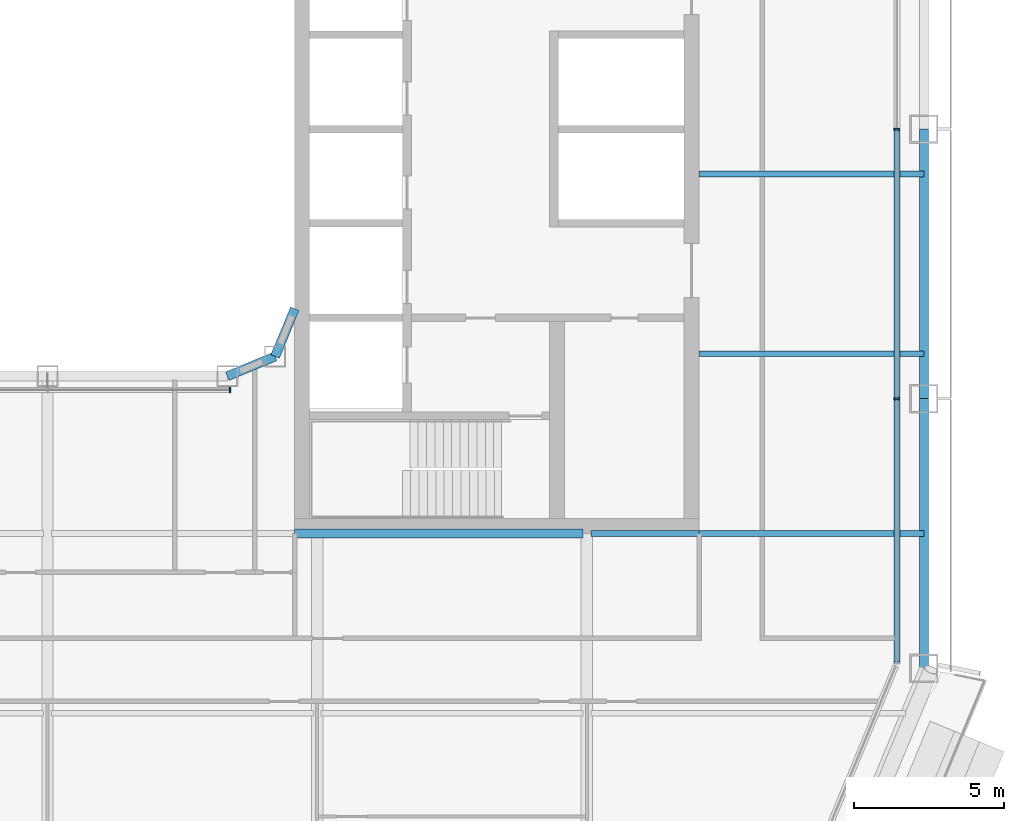
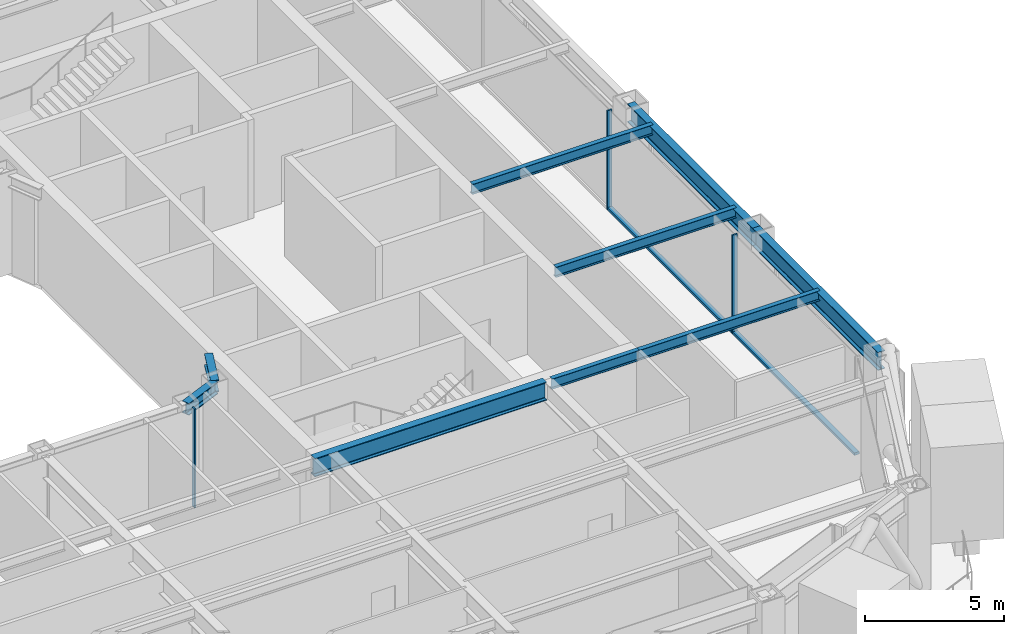
# One storey, part 5 of 23: 9 beams, 5 members, 2 elements without a shape of their own.
"""IFC4 building model written with IfcOpenShell, lengths in metres."""

import ifcopenshell
import ifcopenshell.guid

model = None  # the IFC model being written
_history = None  # IfcOwnerHistory: only IFC2X3 demands one
_inside = {}  # id of a spatial element -> (the spatial element, [elements in it])
_under = {}  # id of a project, library or spatial element -> (it, [spatial elements below it])
_declared = {}  # id of a project -> (the project, [libraries it declares])
_typed = {}  # id of a type object -> (the type object, [elements of that type])
_made_of = {}  # id of a material, layer set ... -> (it, [elements and type objects made of it])


def new_model(schema):
    """Start an empty IFC model of exactly this schema.

    Asked for "IFC4X3", IfcOpenShell would pick the latest addendum, in which some entities
    have other attributes; the version numbers below select the first issue.
    IFC2X3 requires an IfcOwnerHistory on every rooted entity: one is made here for all.
    """
    global model, _history
    if schema == "IFC4X3":
        model = ifcopenshell.file(schema_version=(4, 3, 0, 0))
    else:
        model = ifcopenshell.file(schema=schema)
    _inside.clear()
    _under.clear()
    _declared.clear()
    _typed.clear()
    _made_of.clear()
    _history = None
    if model.schema == "IFC2X3":
        org = make("IfcOrganization", Name="unknown")
        user = make(
            "IfcPersonAndOrganization",
            ThePerson=make("IfcPerson", FamilyName="unknown"),
            TheOrganization=org,
        )
        app = make(
            "IfcApplication",
            ApplicationDeveloper=org,
            Version="unknown",
            ApplicationFullName="unknown",
            ApplicationIdentifier="unknown",
        )
        _history = make(
            "IfcOwnerHistory",
            OwningUser=user,
            OwningApplication=app,
            ChangeAction="ADDED",
            CreationDate=0,
        )
    return model


def make(cls, **values):
    """One entity of the class cls with the attributes given. An attribute that is None is left unset."""
    return model.create_entity(
        cls, **{name: value for name, value in values.items() if value is not None}
    )


def rooted(cls, **values):
    """An entity with a GlobalId (a new one), such as an element, a storey or a relation."""
    return make(cls, GlobalId=ifcopenshell.guid.new(), OwnerHistory=_history, **values)


def si_unit(unit_type, name, prefix=None):
    """IfcSIUnit, for example si_unit("LENGTHUNIT", "METRE", prefix="MILLI")."""
    return make("IfcSIUnit", UnitType=unit_type, Prefix=prefix, Name=name)


def assignment(units):
    """IfcUnitAssignment: the units of a project."""
    return None if units is None else make("IfcUnitAssignment", Units=units)


def point(xyz):
    """IfcCartesianPoint."""
    return None if xyz is None else make("IfcCartesianPoint", Coordinates=xyz)


def direction(xyz):
    """IfcDirection."""
    return None if xyz is None else make("IfcDirection", DirectionRatios=xyz)


def frame(location, z_axis=None, x_axis=None):
    """IfcAxis2Placement3D, a coordinate frame: its origin and axes. An axis left out is left unset."""
    return make(
        "IfcAxis2Placement3D",
        Location=point(location),
        Axis=direction(z_axis),
        RefDirection=direction(x_axis),
    )


def frame_2d(location, x_axis=None):
    """IfcAxis2Placement2D, a coordinate frame in the plane: its origin and x axis."""
    return make(
        "IfcAxis2Placement2D", Location=point(location), RefDirection=direction(x_axis)
    )


def origin():
    """The frame at (0, 0, 0) with its axes left unset."""
    return frame((0.0, 0.0, 0.0))


def origin_2d():
    """The frame at (0, 0) in the plane with its x axis left unset."""
    return frame_2d((0.0, 0.0))


def place(relative_to, where):
    """IfcLocalPlacement: puts the frame where relative to a parent placement (None: the world)."""
    return make(
        "IfcLocalPlacement", PlacementRelTo=relative_to, RelativePlacement=where
    )


def context(
    kind, dimensions, precision=None, world=None, true_north=None, identifier=None
):
    """IfcGeometricRepresentationContext, for example the 3D "Model" context."""
    return make(
        "IfcGeometricRepresentationContext",
        ContextIdentifier=identifier,
        ContextType=kind,
        CoordinateSpaceDimension=dimensions,
        Precision=precision,
        WorldCoordinateSystem=world,
        TrueNorth=true_north,
    )


def subcontext(parent, identifier, kind, view, scale=None):
    """IfcGeometricRepresentationSubContext, for example "Body" below "Model"."""
    return make(
        "IfcGeometricRepresentationSubContext",
        ContextIdentifier=identifier,
        ContextType=kind,
        ParentContext=parent,
        TargetScale=scale,
        TargetView=view,
    )


def project(units=None, contexts=None):
    """IfcProject with its units and contexts."""
    return rooted(
        "IfcProject",
        Name="project",
        RepresentationContexts=contexts,
        UnitsInContext=assignment(units),
    )


def spatial(cls, under=None, at=None, **own):
    """A site, building, storey or space (cls), placed at a placement, below another one or the project."""
    s = rooted(cls, ObjectPlacement=at, **own)
    if under is not None:
        _under.setdefault(under.id(), (under, []))[1].append(s)
    return s


def profile(cls, at=None, kind="AREA", **sizes):
    """A parametric profile (cls). Its sizes go by their IFC names, for example OverallWidth=200.0."""
    return make(cls, ProfileType=kind, Position=at, **sizes)


def rectangle(**sizes):
    """IfcRectangleProfileDef."""
    return profile("IfcRectangleProfileDef", **sizes)


def i_section(**sizes):
    """IfcIShapeProfileDef."""
    return profile("IfcIShapeProfileDef", **sizes)


def extrude(swept, where, along, depth):
    """IfcExtrudedAreaSolid: the profile swept, set in the frame where, extruded along a direction by depth."""
    return make(
        "IfcExtrudedAreaSolid",
        SweptArea=swept,
        Position=where,
        ExtrudedDirection=direction(along),
        Depth=depth,
    )


def shape(context_of_items, identifier, shape_type, items):
    """IfcShapeRepresentation: the items that make up one representation, for example the "Body"."""
    return make(
        "IfcShapeRepresentation",
        ContextOfItems=context_of_items,
        RepresentationIdentifier=identifier,
        RepresentationType=shape_type,
        Items=items,
    )


def material(Name=None, Category=None):
    """IfcMaterial."""
    return make("IfcMaterial", Name=Name, Category=Category)


def layer(
    of_material, thickness, ventilated=None, Name=None, Category=None, Priority=None
):
    """IfcMaterialLayer: one layer of a wall or slab, of a material (None: an air gap)."""
    return make(
        "IfcMaterialLayer",
        Material=of_material,
        LayerThickness=thickness,
        IsVentilated=ventilated,
        Name=Name,
        Category=Category,
        Priority=Priority,
    )


def layer_set(layers, Name=None):
    """IfcMaterialLayerSet."""
    return make("IfcMaterialLayerSet", MaterialLayers=layers, LayerSetName=Name)


def material_profile(
    of_material, cross_section, Name=None, Category=None, Priority=None
):
    """IfcMaterialProfile: a cross section and its material."""
    return make(
        "IfcMaterialProfile",
        Name=Name,
        Material=of_material,
        Profile=cross_section,
        Priority=Priority,
        Category=Category,
    )


def profile_set(profiles, Name=None, composite=None):
    """IfcMaterialProfileSet."""
    return make(
        "IfcMaterialProfileSet",
        Name=Name,
        MaterialProfiles=profiles,
        CompositeProfile=composite,
    )


def made_of(thing, what):
    """Note that an element or type object is made of a material, layer set ...; save() writes the relation."""
    if what is not None:
        _made_of.setdefault(what.id(), (what, []))[1].append(thing)
    return thing


def type_object(cls, material=None, **own):
    """A type object (cls), such as IfcWallType, which elements share."""
    return made_of(rooted(cls, **own), material)


def element(
    cls,
    number,
    at=None,
    inside=None,
    cuts=None,
    type_object=None,
    material=None,
    context=None,
    identifier="Body",
    shape_type=None,
    held_by="IfcProductDefinitionShape",
    body=None,
    shapes=None,
    **own,
):
    """One element of the class cls, such as IfcWall. Its Tag is "e" and its number.

    at: its placement. inside: the storey or other place that contains it. cuts: it is an
    opening in that element (IfcRelVoidsElement). A single representation is given by context,
    identifier, shape_type and body (its items); several are given by shapes. held_by: the class
    of the entity that holds the representations. save() writes the other relations.
    """
    e = rooted(cls, Tag="e%d" % number, ObjectPlacement=at, **own)
    if body is not None:
        shapes = [shape(context, identifier, shape_type, body)]
    if shapes is not None:
        e.Representation = make(held_by, Representations=shapes)
    if inside is not None:
        _inside.setdefault(inside.id(), (inside, []))[1].append(e)
    if cuts is not None:
        rooted(
            "IfcRelVoidsElement", RelatingBuildingElement=cuts, RelatedOpeningElement=e
        )
    if type_object is not None:
        _typed.setdefault(type_object.id(), (type_object, []))[1].append(e)
    return made_of(e, material)


def aggregate(whole, parts):
    """IfcRelAggregates: a whole, such as a stair, and the parts it consists of."""
    return rooted("IfcRelAggregates", RelatingObject=whole, RelatedObjects=parts)


def save(model, path):
    """Write the relations noted so far, then the file.

    IfcRelAggregates (storeys below a building ...), IfcRelContainedInSpatialStructure (elements
    in a storey), IfcRelDefinesByType, IfcRelAssociatesMaterial and IfcRelDeclares: one each for
    every whole, place, type object, material and project.
    """
    for whole, parts in _under.values():
        aggregate(whole, parts)
    for where, things in _inside.values():
        rooted(
            "IfcRelContainedInSpatialStructure",
            RelatedElements=things,
            RelatingStructure=where,
        )
    for kind, things in _typed.values():
        rooted("IfcRelDefinesByType", RelatedObjects=things, RelatingType=kind)
    for what, things in _made_of.values():
        rooted("IfcRelAssociatesMaterial", RelatedObjects=things, RelatingMaterial=what)
    for by, libraries in _declared.values():
        rooted("IfcRelDeclares", RelatingContext=by, RelatedDefinitions=libraries)
    model.write(path)


model = new_model("IFC4")

# Units and contexts
model_context = context("Model", 3, precision=1e-05, world=origin(), true_north=direction((0.0, 1.0)))
body_context = subcontext(model_context, "Body", "Model", "MODEL_VIEW")
ifc_project = project(units=[si_unit("LENGTHUNIT", "METRE"), si_unit("AREAUNIT", "SQUARE_METRE"), si_unit("VOLUMEUNIT", "CUBIC_METRE"), si_unit("PLANEANGLEUNIT", "RADIAN"), si_unit("MASSUNIT", "GRAM", prefix="KILO")], contexts=[model_context])

# Site, building, storey
site_placement = place(None, origin())
site = spatial("IfcSite", under=ifc_project, at=site_placement, CompositionType="ELEMENT")
building_placement = place(site_placement, origin())
building = spatial("IfcBuilding", under=site, at=building_placement, Name="Siwar Civic Tower", CompositionType="ELEMENT")
storey_placement = place(building_placement, frame((0.0, 0.0, 109.199951171875)))
storey = spatial("IfcBuildingStorey", under=building, at=storey_placement, Name="L23", CompositionType="ELEMENT", Elevation=109.199951171875)

# Curtain wall, members
ifc_material_1 = material(Name="Aluminium and glass", Category="aluminium")
ifc_layer_1 = layer(ifc_material_1, 0.199951171875)
ifc_layer_set_1 = layer_set([ifc_layer_1], Name="Aluminium and glass")
curtain_wall_type_1 = type_object("IfcCurtainWallType", Name="ENV-CW-B", PredefinedType="NOTDEFINED", material=ifc_layer_set_1)
curtain_wall_1_placement = place(storey_placement, origin())
curtain_wall_1 = element("IfcCurtainWall", 1, at=curtain_wall_1_placement, inside=storey, type_object=curtain_wall_type_1, Name="Curtain wall B E", PredefinedType="NOTDEFINED")
ifc_material_2 = material(Name="Aluminium 6063-T6", Category="aluminium")
ifc_material_profile_1 = material_profile(ifc_material_2, rectangle(XDim=0.199951171875, YDim=0.06494140625, at=origin_2d()), Name="AL 200x65")
ifc_profile_set_1 = profile_set([ifc_material_profile_1], Name="Aluminium 6063-T6")
member_type_1 = type_object("IfcMemberType", Name="ENV-MULLION-B", PredefinedType="MULLION", material=ifc_profile_set_1)
member_1_placement = place(storey_placement, frame((28.35009765625, -9.0, 0.0), z_axis=(0.0, 0.0, 1.0), x_axis=(-1.0, 0.0, 0.0)))
member_1 = element("IfcMember", 2, at=member_1_placement, type_object=member_type_1, Name="Mullion B E 2", PredefinedType="MULLION", context=body_context, shape_type="SweptSolid", body=[
    extrude(rectangle(XDim=0.199951171875, YDim=0.06494140625, at=origin_2d()), origin(), (0.0, 0.0, 1.0), 4.35009765625),
])
member_2_placement = place(storey_placement, frame((28.35009765625, 0.0, 0.0), z_axis=(0.0, 0.0, 1.0), x_axis=(-1.0, 0.0, 0.0)))
member_2 = element("IfcMember", 3, at=member_2_placement, type_object=member_type_1, Name="Mullion B E 3", PredefinedType="MULLION", context=body_context, shape_type="SweptSolid", body=[
    extrude(rectangle(XDim=0.199951171875, YDim=0.06494140625, at=origin_2d()), origin(), (0.0, 0.0, 1.0), 4.35009765625),
])

# Curtain wall, member
ifc_material_3 = material(Name="Aluminium and glass", Category="aluminium")
ifc_layer_2 = layer(ifc_material_3, 0.179931640625)
ifc_layer_set_2 = layer_set([ifc_layer_2], Name="Aluminium and glass")
curtain_wall_type_2 = type_object("IfcCurtainWallType", Name="ENV-CW-W", PredefinedType="NOTDEFINED", material=ifc_layer_set_2)
curtain_wall_2_placement = place(storey_placement, origin())
curtain_wall_2 = element("IfcCurtainWall", 4, at=curtain_wall_2_placement, inside=storey, type_object=curtain_wall_type_2, Name="Curtain wall W WS", PredefinedType="NOTDEFINED")
ifc_material_4 = material(Name="Aluminium 6063-T6", Category="aluminium")
ifc_material_profile_2 = material_profile(ifc_material_4, rectangle(XDim=0.179931640625, YDim=0.06005859375, at=origin_2d()), Name="AL 180x60")
ifc_profile_set_2 = profile_set([ifc_material_profile_2], Name="Aluminium 6063-T6")
member_type_2 = type_object("IfcMemberType", Name="ENV-MULLION-W", PredefinedType="MULLION", material=ifc_profile_set_2)
member_3_placement = place(storey_placement, frame((6.091552734375, -8.7099609375, 0.0), z_axis=(0.0, 0.0, 1.0), x_axis=(0.0, 1.0, 0.0)))
member_3 = element("IfcMember", 5, at=member_3_placement, type_object=member_type_2, Name="Mullion W WS 3", PredefinedType="MULLION", context=body_context, shape_type="SweptSolid", body=[
    extrude(rectangle(XDim=0.179931640625, YDim=0.06005859375, at=origin_2d()), origin(), (0.0, 0.0, 1.0), 4.35009765625),
])
aggregate(curtain_wall_2, [member_3])

# Member
ifc_material_5 = material(Name="Aluminium 6063-T6", Category="aluminium")
ifc_material_profile_3 = material_profile(ifc_material_5, rectangle(XDim=0.199951171875, YDim=0.110107421875, at=origin_2d()), Name="AL 200x110")
ifc_profile_set_3 = profile_set([ifc_material_profile_3], Name="Aluminium 6063-T6")
member_type_3 = type_object("IfcMemberType", Name="ENV-TRANSOM-B", PredefinedType="USERDEFINED", material=ifc_profile_set_3)
member_4_placement = place(storey_placement, frame((28.35009765625, -17.78857421875, 0.054931640625), z_axis=(0.0, 1.0, 0.0), x_axis=(-1.0, 0.0, 0.0)))
member_4 = element("IfcMember", 6, at=member_4_placement, type_object=member_type_3, Name="Transom B E 1", ObjectType="TRANSOM", PredefinedType="USERDEFINED", context=body_context, shape_type="SweptSolid", body=[
    extrude(rectangle(XDim=0.199951171875, YDim=0.110107421875, at=origin_2d()), origin(), (0.0, 0.0, 1.0), 8.756103515625),
])

member_5_placement = place(storey_placement, frame((28.35009765625, -8.967529296875, 0.054931640625), z_axis=(0.0, 1.0, 0.0), x_axis=(-1.0, 0.0, 0.0)))
member_5 = element("IfcMember", 7, at=member_5_placement, type_object=member_type_3, Name="Transom B E 2", ObjectType="TRANSOM", PredefinedType="USERDEFINED", context=body_context, shape_type="SweptSolid", body=[
    extrude(rectangle(XDim=0.199951171875, YDim=0.110107421875, at=origin_2d()), origin(), (0.0, 0.0, 1.0), 8.93505859375),
])

aggregate(curtain_wall_1, [member_1, member_2, member_4, member_5])

# Beams
ifc_material_6 = material(Name="Steel S355", Category="steel")
ifc_material_profile_4 = material_profile(ifc_material_6, i_section(OverallWidth=0.18994140625, OverallDepth=0.449951171875, WebThickness=0.009521484375, FlangeThickness=0.0146484375, FilletRadius=0.02099609375, at=origin_2d()), Name="IPE450")
ifc_profile_set_4 = profile_set([ifc_material_profile_4], Name="Steel S355")
beam_type_1 = type_object("IfcBeamType", Name="STR-FB-IPE450", PredefinedType="JOIST", material=ifc_profile_set_4)
beam_1_placement = place(storey_placement, frame((18.1298828125, -13.5, 4.125), z_axis=(1.0, 0.0, 0.0), x_axis=(0.0, 1.0, 0.0)))
element("IfcBeam", 8, at=beam_1_placement, inside=storey, type_object=beam_type_1, Name="L23/bm/F019", PredefinedType="JOIST", context=body_context, shape_type="SweptSolid", body=[
    extrude(i_section(OverallWidth=0.18994140625, OverallDepth=0.449951171875, WebThickness=0.009521484375, FlangeThickness=0.0146484375, FilletRadius=0.02099609375, at=origin_2d()), origin(), (0.0, 0.0, 1.0), 3.6201171875),
])
for number, where, z_axis, x_axis, name in (
    (9, (21.75, -13.5, 4.125), (1.0, 0.0, 0.0), (0.0, 1.0, 0.0), "L23/bm/F020"),
    (10, (21.75, -7.5, 4.125), (1.0, 0.0, 0.0), (0.0, 1.0, 0.0), "L23/bm/F022"),
    (11, (21.75, -1.5, 4.125), (1.0, 0.0, 0.0), (0.0, 1.0, 0.0), "L23/bm/F024"),
):
    element("IfcBeam", number, at=place(storey_placement, frame(where, z_axis=z_axis, x_axis=x_axis)), inside=storey, type_object=beam_type_1, Name=name, PredefinedType="JOIST", context=body_context, shape_type="SweptSolid", body=[
        extrude(i_section(OverallWidth=0.18994140625, OverallDepth=0.449951171875, WebThickness=0.009521484375, FlangeThickness=0.0146484375, FilletRadius=0.02099609375, at=origin_2d()), origin(), (0.0, 0.0, 1.0), 7.5),
    ])
ifc_material_7 = material(Name="Steel S355", Category="steel")
ifc_material_profile_5 = material_profile(ifc_material_7, i_section(OverallWidth=0.300048828125, OverallDepth=0.800048828125, WebThickness=0.017578125, FlangeThickness=0.032958984375, FilletRadius=0.030029296875, at=origin_2d()), Name="HEB800")
ifc_profile_set_5 = profile_set([ifc_material_profile_5], Name="Steel S355")
beam_type_2 = type_object("IfcBeamType", Name="STR-PG-HEB800", PredefinedType="BEAM", material=ifc_profile_set_5)
beam_2_placement = place(storey_placement, frame((8.25, -13.5, 3.949951171875), z_axis=(1.0, 0.0, 0.0), x_axis=(0.0, 1.0, 0.0)))
element("IfcBeam", 12, at=beam_2_placement, inside=storey, type_object=beam_type_2, Name="L23/bm/F018", PredefinedType="BEAM", context=body_context, shape_type="SweptSolid", body=[
    extrude(i_section(OverallWidth=0.300048828125, OverallDepth=0.800048828125, WebThickness=0.017578125, FlangeThickness=0.032958984375, FilletRadius=0.030029296875, at=origin_2d()), origin(), (0.0, 0.0, 1.0), 9.6201171875),
])
ifc_material_8 = material(Name="Steel S355", Category="steel")
ifc_material_profile_6 = material_profile(ifc_material_8, i_section(OverallWidth=0.305908203125, OverallDepth=0.52392578125, WebThickness=0.02099609375, FlangeThickness=0.0400390625, FilletRadius=0.027099609375, at=origin_2d()), Name="HEM500")
ifc_profile_set_6 = profile_set([ifc_material_profile_6], Name="Steel S355")
beam_type_3 = type_object("IfcBeamType", Name="STR-RB-HEM500", PredefinedType="BEAM", material=ifc_profile_set_6)
for number, where, z_axis, x_axis, name in (
    (13, (6.0, -8.25, 4.088134765625), (0.923901072997, 0.382631424892, 0.0), (-0.382631424892, 0.923901072997, 0.0), "L23/bm/RS3"),
    (14, (7.591064453125, -7.591064453125, 4.088134765625), (0.382631424892, 0.923901072997, 0.0), (-0.923901072997, 0.382631424892, 0.0), "L23/bm/RSEE"),
):
    element("IfcBeam", number, at=place(storey_placement, frame(where, z_axis=z_axis, x_axis=x_axis)), inside=storey, type_object=beam_type_3, Name=name, PredefinedType="BEAM", context=body_context, shape_type="SweptSolid", body=[
        extrude(i_section(OverallWidth=0.305908203125, OverallDepth=0.52392578125, WebThickness=0.02099609375, FlangeThickness=0.0400390625, FilletRadius=0.027099609375, at=origin_2d()), origin(), (0.0, 0.0, 1.0), 1.72216796875),
    ])
ifc_material_9 = material(Name="Steel S355", Category="steel")
ifc_material_profile_7 = material_profile(ifc_material_9, i_section(OverallWidth=0.300048828125, OverallDepth=0.800048828125, WebThickness=0.017578125, FlangeThickness=0.032958984375, FilletRadius=0.030029296875, at=origin_2d()), Name="HEB800")
ifc_profile_set_7 = profile_set([ifc_material_profile_7], Name="Steel S355")
beam_type_4 = type_object("IfcBeamType", Name="STR-SB-HEB800", PredefinedType="BEAM", material=ifc_profile_set_7)
for number, where, z_axis, x_axis, name in (
    (15, (29.25, -18.0, 3.949951171875), (0.0, 1.0, 0.0), (-1.0, 0.0, 0.0), "L23/bm/SE-0"),
    (16, (29.25, -9.0, 3.949951171875), (0.0, 1.0, 0.0), (-1.0, 0.0, 0.0), "L23/bm/SE-1"),
):
    element("IfcBeam", number, at=place(storey_placement, frame(where, z_axis=z_axis, x_axis=x_axis)), inside=storey, type_object=beam_type_4, Name=name, PredefinedType="BEAM", context=body_context, shape_type="SweptSolid", body=[
        extrude(i_section(OverallWidth=0.300048828125, OverallDepth=0.800048828125, WebThickness=0.017578125, FlangeThickness=0.032958984375, FilletRadius=0.030029296875, at=origin_2d()), origin(), (0.0, 0.0, 1.0), 9.0),
    ])

save(model, "model.ifc")
